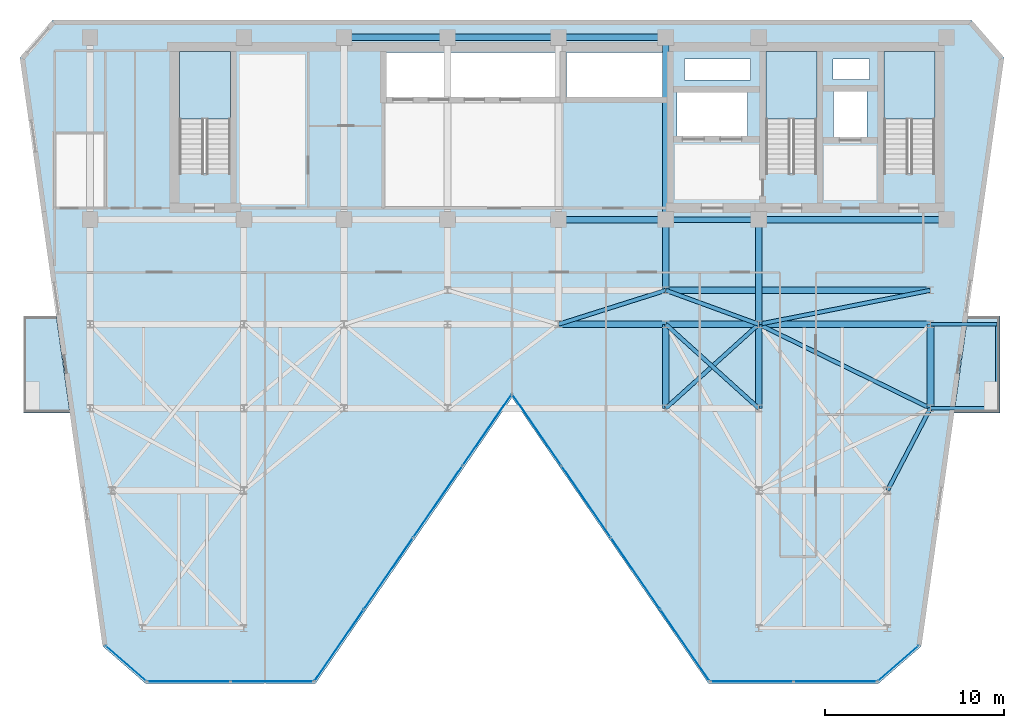
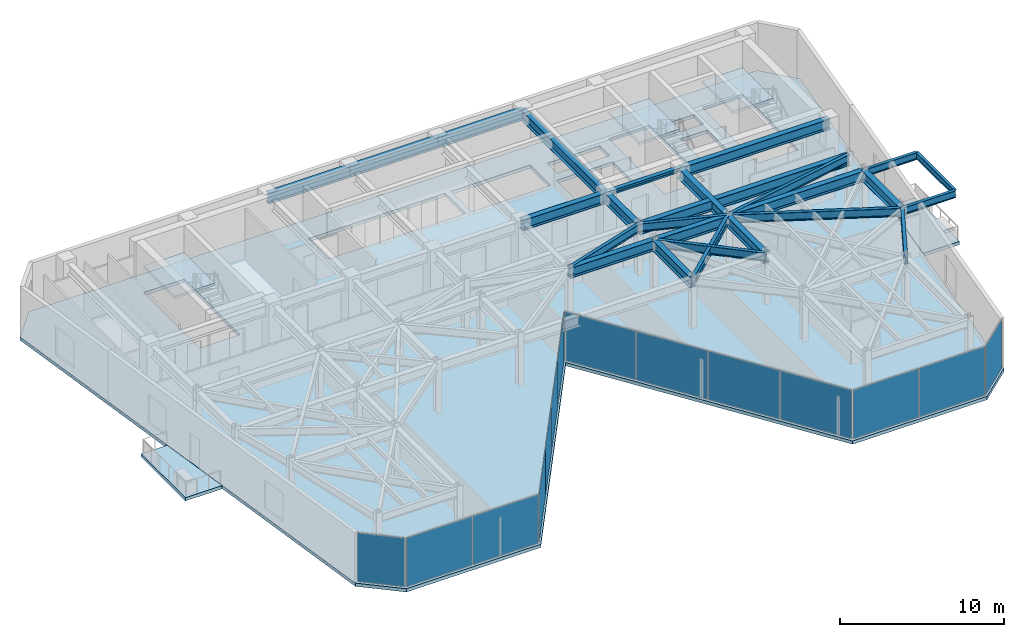
# One storey, part 15 of 21: 26 beams, 14 plates, 6 slabs, 9 elements without a shape of their own.
"""IFC4 building model written with IfcOpenShell, lengths in metres."""

from ifc_helpers import new_model, si_unit, direction, frame, origin, origin_2d, place, context, subcontext, project, spatial, polyline, rectangle, i_section, outline, extrude, material, layer, layer_set, material_profile, profile_set, type_object, element, aggregate, save


model = new_model("IFC4")

# Units and contexts
model_context = context("Model", 3, precision=1e-05, world=origin(), true_north=direction((0.0, 1.0)))
body_context = subcontext(model_context, "Body", "Model", "MODEL_VIEW")
ifc_project = project(units=[si_unit("LENGTHUNIT", "METRE"), si_unit("AREAUNIT", "SQUARE_METRE"), si_unit("VOLUMEUNIT", "CUBIC_METRE"), si_unit("PLANEANGLEUNIT", "RADIAN"), si_unit("MASSUNIT", "GRAM", prefix="KILO")], contexts=[model_context])

# Site, building, storey
site_placement = place(None, origin())
site = spatial("IfcSite", under=ifc_project, at=site_placement, CompositionType="ELEMENT")
building_placement = place(site_placement, origin())
building = spatial("IfcBuilding", under=site, at=building_placement, Name="Kravanh Interchange Tower", CompositionType="ELEMENT")
storey_placement = place(building_placement, frame((0.0, 0.0, 200.5)))
storey = spatial("IfcBuildingStorey", under=building, at=storey_placement, Name="L48", CompositionType="ELEMENT", Elevation=200.5)

# Beams
ifc_material_1 = material(Name="Structural Steel S355", Category="steel")
ifc_material_profile_1 = material_profile(ifc_material_1, i_section(OverallWidth=0.381103515625, OverallDepth=0.77294921875, WebThickness=0.0166015625, FlangeThickness=0.027099609375, FilletRadius=0.02490234375, at=origin_2d()), Name="W30X173")
ifc_profile_set_1 = profile_set([ifc_material_profile_1], Name="Structural Steel S355")
beam_type_1 = type_object("IfcBeamType", Name="Floor Beam W30X173 Structural Steel S355", PredefinedType="BEAM", material=ifc_profile_set_1)
beam_1_placement = place(storey_placement, frame((66.5, 37.35009765625, 3.368408203125), z_axis=(-1.0, 0.0, 0.0), x_axis=(0.0, -1.0, 0.0)))
element("IfcBeam", 1, at=beam_1_placement, inside=storey, type_object=beam_type_1, Name="L48 Primary Floor Girder 5", PredefinedType="BEAM", context=body_context, shape_type="SweptSolid", body=[
    extrude(i_section(OverallWidth=0.381103515625, OverallDepth=0.77294921875, WebThickness=0.0166015625, FlangeThickness=0.027099609375, FilletRadius=0.02490234375, at=origin_2d()), origin(), (0.0, 0.0, 1.0), 10.5),
])
beam_2_placement = place(storey_placement, frame((56.0, 37.35009765625, 3.368408203125), z_axis=(0.0, -1.0, 0.0), x_axis=(1.0, 0.0, 0.0)))
element("IfcBeam", 2, at=beam_2_placement, inside=storey, type_object=beam_type_1, Name="L48 Primary Floor Girder 7", PredefinedType="BEAM", context=body_context, shape_type="SweptSolid", body=[
    extrude(i_section(OverallWidth=0.381103515625, OverallDepth=0.77294921875, WebThickness=0.0166015625, FlangeThickness=0.027099609375, FilletRadius=0.02490234375, at=origin_2d()), origin(), (0.0, 0.0, 1.0), 5.85009765625),
])
beam_3_placement = place(storey_placement, frame((50.800048828125, 47.550048828125, 3.368408203125), z_axis=(-1.0, 0.0, 0.0), x_axis=(0.0, -1.0, 0.0)))
element("IfcBeam", 3, at=beam_3_placement, inside=storey, type_object=beam_type_1, Name="L48 Primary Floor Girder 8", PredefinedType="BEAM", context=body_context, shape_type="SweptSolid", body=[
    extrude(i_section(OverallWidth=0.381103515625, OverallDepth=0.77294921875, WebThickness=0.0166015625, FlangeThickness=0.027099609375, FilletRadius=0.02490234375, at=origin_2d()), origin(), (0.0, 0.0, 1.0), 6.0),
])
beam_4_placement = place(storey_placement, frame((50.800048828125, 47.550048828125, 3.368408203125), z_axis=(0.0, -1.0, 0.0), x_axis=(1.0, 0.0, 0.0)))
element("IfcBeam", 4, at=beam_4_placement, inside=storey, type_object=beam_type_1, Name="L48 Primary Floor Girder 9", PredefinedType="BEAM", context=body_context, shape_type="SweptSolid", body=[
    extrude(i_section(OverallWidth=0.381103515625, OverallDepth=0.77294921875, WebThickness=0.0166015625, FlangeThickness=0.027099609375, FilletRadius=0.02490234375, at=origin_2d()), origin(), (0.0, 0.0, 1.0), 10.199951171875),
])
beam_5_placement = place(storey_placement, frame((50.800048828125, 37.35009765625, 3.368408203125), z_axis=(0.0, -1.0, 0.0), x_axis=(1.0, 0.0, 0.0)))
element("IfcBeam", 5, at=beam_5_placement, inside=storey, type_object=beam_type_1, Name="L48 Primary Floor Girder 10", PredefinedType="BEAM", context=body_context, shape_type="SweptSolid", body=[
    extrude(i_section(OverallWidth=0.381103515625, OverallDepth=0.77294921875, WebThickness=0.0166015625, FlangeThickness=0.027099609375, FilletRadius=0.02490234375, at=origin_2d()), origin(), (0.0, 0.0, 1.0), 3.9501953125),
])
beam_6_placement = place(storey_placement, frame((50.800048828125, 37.35009765625, 3.368408203125), z_axis=(-1.0, 0.0, 0.0), x_axis=(0.0, -1.0, 0.0)))
element("IfcBeam", 6, at=beam_6_placement, inside=storey, type_object=beam_type_1, Name="L48 Primary Floor Girder 11", PredefinedType="BEAM", context=body_context, shape_type="SweptSolid", body=[
    extrude(i_section(OverallWidth=0.381103515625, OverallDepth=0.77294921875, WebThickness=0.0166015625, FlangeThickness=0.027099609375, FilletRadius=0.02490234375, at=origin_2d()), origin(), (0.0, 0.0, 1.0), 6.0),
])
beam_7_placement = place(storey_placement, frame((44.800048828125, 47.550048828125, 3.368408203125), z_axis=(-1.0, 0.0, 0.0), x_axis=(0.0, -1.0, 0.0)))
element("IfcBeam", 7, at=beam_7_placement, inside=storey, type_object=beam_type_1, Name="L48 Primary Floor Girder 15", PredefinedType="BEAM", context=body_context, shape_type="SweptSolid", body=[
    extrude(i_section(OverallWidth=0.381103515625, OverallDepth=0.77294921875, WebThickness=0.0166015625, FlangeThickness=0.027099609375, FilletRadius=0.02490234375, at=origin_2d()), origin(), (0.0, 0.0, 1.0), 6.199951171875),
])
beam_8_placement = place(storey_placement, frame((38.60009765625, 47.550048828125, 3.368408203125), z_axis=(-1.0, 0.0, 0.0), x_axis=(0.0, -1.0, 0.0)))
element("IfcBeam", 8, at=beam_8_placement, inside=storey, type_object=beam_type_1, Name="L48 Primary Floor Girder 19", PredefinedType="BEAM", context=body_context, shape_type="SweptSolid", body=[
    extrude(i_section(OverallWidth=0.381103515625, OverallDepth=0.77294921875, WebThickness=0.0166015625, FlangeThickness=0.027099609375, FilletRadius=0.02490234375, at=origin_2d()), origin(), (0.0, 0.0, 1.0), 5.800048828125),
])
for number, where, z_axis, x_axis, name in (
    (9, (50.800048828125, 26.800048828125, 3.368408203125), (0.0, 1.0, 0.0), (-1.0, 0.0, 0.0), "L48 Primary Floor Girder 49"),
    (10, (56.0, 26.800048828125, 3.368408203125), (0.0, 1.0, 0.0), (-1.0, 0.0, 0.0), "L48 Primary Floor Girder 54"),
    (11, (65.60009765625, 26.800048828125, 3.368408203125), (0.0, 1.0, 0.0), (-1.0, 0.0, 0.0), "L48 Primary Floor Girder 57"),
):
    element("IfcBeam", number, at=place(storey_placement, frame(where, z_axis=z_axis, x_axis=x_axis)), inside=storey, type_object=beam_type_1, Name=name, PredefinedType="BEAM", context=body_context, shape_type="SweptSolid", body=[
        extrude(i_section(OverallWidth=0.381103515625, OverallDepth=0.77294921875, WebThickness=0.0166015625, FlangeThickness=0.027099609375, FilletRadius=0.02490234375, at=origin_2d()), origin(), (0.0, 0.0, 1.0), 4.699951171875),
    ])
beam_9_placement = place(storey_placement, frame((44.800048828125, 31.5, 3.368408203125), z_axis=(1.0, 0.0, 0.0), x_axis=(0.0, 1.0, 0.0)))
element("IfcBeam", 12, at=beam_9_placement, inside=storey, type_object=beam_type_1, Name="L48 Primary Floor Girder 74", PredefinedType="BEAM", context=body_context, shape_type="SweptSolid", body=[
    extrude(i_section(OverallWidth=0.381103515625, OverallDepth=0.77294921875, WebThickness=0.0166015625, FlangeThickness=0.027099609375, FilletRadius=0.02490234375, at=origin_2d()), origin(), (0.0, 0.0, 1.0), 6.0),
])
beam_10_placement = place(storey_placement, frame((50.800048828125, 31.5, 3.368408203125), z_axis=(1.0, 0.0, 0.0), x_axis=(0.0, 1.0, 0.0)))
element("IfcBeam", 13, at=beam_10_placement, inside=storey, type_object=beam_type_1, Name="L48 Primary Floor Girder 77", PredefinedType="BEAM", context=body_context, shape_type="SweptSolid", body=[
    extrude(i_section(OverallWidth=0.381103515625, OverallDepth=0.77294921875, WebThickness=0.0166015625, FlangeThickness=0.027099609375, FilletRadius=0.02490234375, at=origin_2d()), origin(), (0.0, 0.0, 1.0), 5.199951171875),
])
beam_11_placement = place(storey_placement, frame((56.0, 31.5, 3.368408203125), z_axis=(1.0, 0.0, 0.0), x_axis=(0.0, 1.0, 0.0)))
element("IfcBeam", 14, at=beam_11_placement, inside=storey, type_object=beam_type_1, Name="L48 Primary Floor Girder 81", PredefinedType="BEAM", context=body_context, shape_type="SweptSolid", body=[
    extrude(i_section(OverallWidth=0.381103515625, OverallDepth=0.77294921875, WebThickness=0.0166015625, FlangeThickness=0.027099609375, FilletRadius=0.02490234375, at=origin_2d()), origin(), (0.0, 0.0, 1.0), 9.60009765625),
])
beam_12_placement = place(storey_placement, frame((50.800048828125, 33.39990234375, 3.368408203125), z_axis=(1.0, 0.0, 0.0), x_axis=(0.0, 1.0, 0.0)))
element("IfcBeam", 15, at=beam_12_placement, inside=storey, type_object=beam_type_1, Name="L48 Primary Floor Girder 95", PredefinedType="BEAM", context=body_context, shape_type="SweptSolid", body=[
    extrude(i_section(OverallWidth=0.381103515625, OverallDepth=0.77294921875, WebThickness=0.0166015625, FlangeThickness=0.027099609375, FilletRadius=0.02490234375, at=origin_2d()), origin(), (0.0, 0.0, 1.0), 14.800048828125),
])
ifc_material_2 = material(Name="Structural Steel S355", Category="steel")
ifc_material_profile_2 = material_profile(ifc_material_2, i_section(OverallWidth=0.18994140625, OverallDepth=0.45703125, WebThickness=0.009033203125, FlangeThickness=0.014404296875, FilletRadius=0.01806640625, at=origin_2d()), Name="W18X50")
ifc_profile_set_2 = profile_set([ifc_material_profile_2], Name="Structural Steel S355")
beam_type_2 = type_object("IfcBeamType", Name="Floor Joist W18X50 Structural Steel S355", PredefinedType="JOIST", material=ifc_profile_set_2)
beam_13_placement = place(storey_placement, frame((69.330078125, 26.800048828125, 3.526611328125), z_axis=(0.0, 1.0, 0.0), x_axis=(-1.0, 0.0, 0.0)))
element("IfcBeam", 16, at=beam_13_placement, inside=storey, type_object=beam_type_2, Name="L48 Balcony Edge Tie Beam E", PredefinedType="JOIST", context=body_context, shape_type="SweptSolid", body=[
    extrude(i_section(OverallWidth=0.18994140625, OverallDepth=0.45703125, WebThickness=0.009033203125, FlangeThickness=0.014404296875, FilletRadius=0.01806640625, at=origin_2d()), origin(), (0.0, 0.0, 1.0), 4.699951171875),
])
ifc_material_3 = material(Name="Structural Steel S355", Category="steel")
ifc_material_profile_3 = material_profile(ifc_material_3, i_section(OverallWidth=0.304931640625, OverallDepth=0.306884765625, WebThickness=0.010009765625, FlangeThickness=0.015380859375, FilletRadius=0.014892578125, at=origin_2d()), Name="W12X65")
ifc_profile_set_3 = profile_set([ifc_material_profile_3], Name="Structural Steel S355")
beam_type_3 = type_object("IfcBeamType", Name="Floor Lintel W12X65 Structural Steel S355", PredefinedType="LINTEL", material=ifc_profile_set_3)
beam_14_placement = place(storey_placement, frame((50.800048828125, 37.35009765625, 3.6015625), z_axis=(1.0, 0.0, 0.0), x_axis=(0.0, 1.0, 0.0)))
element("IfcBeam", 17, at=beam_14_placement, inside=storey, type_object=beam_type_3, Name="L48 Core Coupling Lintel 1", PredefinedType="LINTEL", context=body_context, shape_type="SweptSolid", body=[
    extrude(i_section(OverallWidth=0.304931640625, OverallDepth=0.306884765625, WebThickness=0.010009765625, FlangeThickness=0.015380859375, FilletRadius=0.014892578125, at=origin_2d()), origin(), (0.0, 0.0, 1.0), 5.199951171875),
])
ifc_material_4 = material(Name="Structural Steel S355", Category="steel")
ifc_material_profile_4 = material_profile(ifc_material_4, i_section(OverallWidth=0.2099609375, OverallDepth=0.537109375, WebThickness=0.010986328125, FlangeThickness=0.017333984375, FilletRadius=0.02001953125, at=origin_2d()), Name="W21X68")
ifc_profile_set_4 = profile_set([ifc_material_profile_4], Name="Structural Steel S355")
beam_type_4 = type_object("IfcBeamType", Name="Floor Spandrel W21X68 Structural Steel S355", PredefinedType="SPANDREL", material=ifc_profile_set_4)
for number, where, z_axis, x_axis, name in (
    (18, (65.60009765625, 26.800048828125, 3.486572265625), (1.0, 0.0, 0.0), (0.0, 1.0, 0.0), "L48 Balcony Cantilever Outrigger E1"),
    (19, (65.60009765625, 31.5, 3.486572265625), (1.0, 0.0, 0.0), (0.0, 1.0, 0.0), "L48 Balcony Cantilever Outrigger E2"),
):
    element("IfcBeam", number, at=place(storey_placement, frame(where, z_axis=z_axis, x_axis=x_axis)), inside=storey, type_object=beam_type_4, Name=name, PredefinedType="SPANDREL", context=body_context, shape_type="SweptSolid", body=[
        extrude(i_section(OverallWidth=0.2099609375, OverallDepth=0.537109375, WebThickness=0.010986328125, FlangeThickness=0.017333984375, FilletRadius=0.02001953125, at=origin_2d()), origin(), (0.0, 0.0, 1.0), 3.72998046875),
    ])
ifc_material_5 = material(Name="Structural Steel S355", Category="steel")
ifc_material_profile_5 = material_profile(ifc_material_5, i_section(OverallWidth=0.22802734375, OverallDepth=0.60791015625, WebThickness=0.01123046875, FlangeThickness=0.017333984375, FilletRadius=0.02197265625, at=origin_2d()), Name="W24X76")
ifc_profile_set_5 = profile_set([ifc_material_profile_5], Name="Structural Steel S355")
beam_type_5 = type_object("IfcBeamType", Name="Floor Spandrel W24X76 Structural Steel S355", PredefinedType="SPANDREL", material=ifc_profile_set_5)
for number, where, z_axis, x_axis, name in (
    (20, (50.800048828125, 26.800048828125, 3.450927734375), (0.741874009795, 0.670539300557, 0.0), (-0.670539300557, 0.741874009795, 0.0), "L48 Perimeter Spandrel 52"),
    (21, (56.0, 26.800048828125, 3.450927734375), (-0.741874009795, 0.670539300557, 0.0), (-0.670539300557, -0.741874009795, 0.0), "L48 Perimeter Spandrel 55"),
):
    element("IfcBeam", number, at=place(storey_placement, frame(where, z_axis=z_axis, x_axis=x_axis)), inside=storey, type_object=beam_type_5, Name=name, PredefinedType="SPANDREL", context=body_context, shape_type="SweptSolid", body=[
        extrude(i_section(OverallWidth=0.22802734375, OverallDepth=0.60791015625, WebThickness=0.01123046875, FlangeThickness=0.017333984375, FilletRadius=0.02197265625, at=origin_2d()), origin(), (0.0, 0.0, 1.0), 7.00927734375),
    ])
beam_15_placement = place(storey_placement, frame((65.60009765625, 26.800048828125, 3.450927734375), z_axis=(-0.462580479178, -0.886577295155, 0.0), x_axis=(0.886577295155, -0.462580479178, 0.0)))
element("IfcBeam", 22, at=beam_15_placement, inside=storey, type_object=beam_type_5, Name="L48 Perimeter Spandrel 58", PredefinedType="SPANDREL", context=body_context, shape_type="SweptSolid", body=[
    extrude(i_section(OverallWidth=0.22802734375, OverallDepth=0.60791015625, WebThickness=0.01123046875, FlangeThickness=0.017333984375, FilletRadius=0.02197265625, at=origin_2d()), origin(), (0.0, 0.0, 1.0), 5.188720703125),
])
beam_16_placement = place(storey_placement, frame((65.60009765625, 26.800048828125, 3.450927734375), z_axis=(-0.898141688387, 0.439706160499, 0.0), x_axis=(-0.439706160499, -0.898141688387, 0.0)))
element("IfcBeam", 23, at=beam_16_placement, inside=storey, type_object=beam_type_5, Name="L48 Perimeter Spandrel 60", PredefinedType="SPANDREL", context=body_context, shape_type="SweptSolid", body=[
    extrude(i_section(OverallWidth=0.22802734375, OverallDepth=0.60791015625, WebThickness=0.01123046875, FlangeThickness=0.017333984375, FilletRadius=0.02197265625, at=origin_2d()), origin(), (0.0, 0.0, 1.0), 10.68896484375),
])
beam_17_placement = place(storey_placement, frame((44.800048828125, 31.5, 3.450927734375), z_axis=(0.953346691051, 0.301877602122, 0.0), x_axis=(-0.301877602122, 0.953346691051, 0.0)))
element("IfcBeam", 24, at=beam_17_placement, inside=storey, type_object=beam_type_5, Name="L48 Perimeter Spandrel 75", PredefinedType="SPANDREL", context=body_context, shape_type="SweptSolid", body=[
    extrude(i_section(OverallWidth=0.22802734375, OverallDepth=0.60791015625, WebThickness=0.01123046875, FlangeThickness=0.017333984375, FilletRadius=0.02197265625, at=origin_2d()), origin(), (0.0, 0.0, 1.0), 6.293701171875),
])
beam_18_placement = place(storey_placement, frame((56.0, 31.5, 3.450927734375), z_axis=(-0.93926957103, 0.343180233896, 0.0), x_axis=(-0.343180233896, -0.93926957103, 0.0)))
element("IfcBeam", 25, at=beam_18_placement, inside=storey, type_object=beam_type_5, Name="L48 Perimeter Spandrel 80", PredefinedType="SPANDREL", context=body_context, shape_type="SweptSolid", body=[
    extrude(i_section(OverallWidth=0.22802734375, OverallDepth=0.60791015625, WebThickness=0.01123046875, FlangeThickness=0.017333984375, FilletRadius=0.02197265625, at=origin_2d()), origin(), (0.0, 0.0, 1.0), 5.5361328125),
])
beam_19_placement = place(storey_placement, frame((56.0, 31.5, 3.450927734375), z_axis=(0.980974000807, 0.194139150457, 0.0), x_axis=(-0.194139150457, 0.980974000807, 0.0)))
element("IfcBeam", 26, at=beam_19_placement, inside=storey, type_object=beam_type_5, Name="L48 Perimeter Spandrel 82", PredefinedType="SPANDREL", context=body_context, shape_type="SweptSolid", body=[
    extrude(i_section(OverallWidth=0.22802734375, OverallDepth=0.60791015625, WebThickness=0.01123046875, FlangeThickness=0.017333984375, FilletRadius=0.02197265625, at=origin_2d()), origin(), (0.0, 0.0, 1.0), 9.786376953125),
])

# Slab
ifc_material_6 = material(Name="Concrete C50/60", Category="concrete")
ifc_layer_1 = layer(ifc_material_6, 0.2451171875)
ifc_layer_set_1 = layer_set([ifc_layer_1], Name="Composite Floor Slab Concrete C50/60 245mm")
slab_type_1 = type_object("IfcSlabType", Name="Composite Floor Slab Concrete C50/60 245mm", PredefinedType="FLOOR", material=ifc_layer_set_1)
slab_1_placement = place(storey_placement, frame((0.0, 0.0, -0.2451171875)))
element("IfcSlab", 27, at=slab_1_placement, inside=storey, type_object=slab_type_1, Name="L48 Structural Floor Slab", PredefinedType="FLOOR", context=body_context, shape_type="SweptSolid", body=[
    extrude(outline(polyline([(19.32177734375, 13.4794921875), (21.714111328125, 11.39990234375), (31.199951171875, 11.39990234375), (42.199951171875, 27.39990234375), (53.199951171875, 11.39990234375), (62.685791015625, 11.39990234375), (65.078125, 13.4794921875), (69.707763671875, 46.42041015625), (67.89990234375, 48.5), (16.5, 48.5), (14.6923828125, 46.42041015625), (19.32177734375, 13.4794921875)]), holes=[polyline([(65.85009765625, 39.925048828125), (65.85009765625, 46.75), (63.0, 46.75), (63.0, 39.925048828125), (65.85009765625, 39.925048828125)]), polyline([(59.25, 39.925048828125), (59.25, 46.75), (56.39990234375, 46.75), (56.39990234375, 39.925048828125), (59.25, 39.925048828125)]), polyline([(26.449951171875, 39.925048828125), (26.449951171875, 46.75), (23.60009765625, 46.75), (23.60009765625, 39.925048828125), (26.449951171875, 39.925048828125)]), polyline([(35.179931640625, 44.219970703125), (44.840087890625, 44.219970703125), (44.840087890625, 46.699951171875), (35.179931640625, 46.699951171875), (35.179931640625, 44.219970703125)]), polyline([(45.239990234375, 44.219970703125), (50.840087890625, 44.219970703125), (50.840087890625, 46.699951171875), (45.239990234375, 46.699951171875), (45.239990234375, 44.219970703125)]), polyline([(51.419921875, 42.02001953125), (55.3798828125, 42.02001953125), (55.3798828125, 44.47998046875), (51.419921875, 44.47998046875), (51.419921875, 42.02001953125)]), polyline([(60.179931640625, 41.97998046875), (62.06005859375, 41.97998046875), (62.06005859375, 44.52001953125), (60.179931640625, 44.52001953125), (60.179931640625, 41.97998046875)]), polyline([(60.14990234375, 45.199951171875), (62.199951171875, 45.199951171875), (62.199951171875, 46.35009765625), (60.14990234375, 46.35009765625), (60.14990234375, 45.199951171875)]), polyline([(51.85009765625, 45.14990234375), (55.550048828125, 45.14990234375), (55.550048828125, 46.35009765625), (51.85009765625, 46.35009765625), (51.85009765625, 45.14990234375)])]), origin(), (0.0, 0.0, 1.0), 0.2451171875),
])

# Stair, slab
ifc_material_7 = material(Name="Concrete C50/60", Category="concrete")
stair_type = type_object("IfcStairType", Name="Core Fire Exit Dogleg Stair Concrete C50/60", PredefinedType="HALF_TURN_STAIR", material=ifc_material_7)
stair_1_placement = place(storey_placement, origin())
stair_1 = element("IfcStair", 28, at=stair_1_placement, inside=storey, type_object=stair_type, Name="L48 Exit Stair ST1", PredefinedType="HALF_TURN_STAIR")
ifc_material_8 = material(Name="Concrete C50/60", Category="concrete")
ifc_layer_2 = layer(ifc_material_8, 0.199951171875)
ifc_layer_set_2 = layer_set([ifc_layer_2], Name="Concrete C50/60 Stair Half-Landing Slab 200mm")
slab_type_2 = type_object("IfcSlabType", Name="Concrete C50/60 Stair Half-Landing Slab 200mm", PredefinedType="LANDING", material=ifc_layer_set_2)
slab_2_placement = place(storey_placement, frame((0.0, 0.0, 1.800048828125)))
slab_2 = element("IfcSlab", 29, at=slab_2_placement, type_object=slab_type_2, Name="ST1 landing 1", PredefinedType="LANDING", context=body_context, shape_type="SweptSolid", body=[
    extrude(outline(polyline([(65.85009765625, 42.97998046875), (65.85009765625, 46.75), (63.0, 46.75), (63.0, 42.97998046875), (65.85009765625, 42.97998046875)])), origin(), (0.0, 0.0, 1.0), 0.199951171875),
])
aggregate(stair_1, [slab_2])

stair_2_placement = place(storey_placement, origin())
stair_2 = element("IfcStair", 30, at=stair_2_placement, inside=storey, type_object=stair_type, Name="L48 Exit Stair ST2", PredefinedType="HALF_TURN_STAIR")
slab_3_placement = place(storey_placement, frame((0.0, 0.0, 1.800048828125)))
slab_3 = element("IfcSlab", 31, at=slab_3_placement, type_object=slab_type_2, Name="ST2 landing 1", PredefinedType="LANDING", context=body_context, shape_type="SweptSolid", body=[
    extrude(outline(polyline([(59.25, 42.97998046875), (59.25, 46.75), (56.39990234375, 46.75), (56.39990234375, 42.97998046875), (59.25, 42.97998046875)])), origin(), (0.0, 0.0, 1.0), 0.199951171875),
])
aggregate(stair_2, [slab_3])

stair_3_placement = place(storey_placement, origin())
stair_3 = element("IfcStair", 32, at=stair_3_placement, inside=storey, type_object=stair_type, Name="L48 Exit Stair ST3", PredefinedType="HALF_TURN_STAIR")
slab_4_placement = place(storey_placement, frame((0.0, 0.0, 1.800048828125)))
slab_4 = element("IfcSlab", 33, at=slab_4_placement, type_object=slab_type_2, Name="ST3 landing 1", PredefinedType="LANDING", context=body_context, shape_type="SweptSolid", body=[
    extrude(outline(polyline([(26.449951171875, 42.97998046875), (26.449951171875, 46.75), (23.60009765625, 46.75), (23.60009765625, 42.97998046875), (26.449951171875, 42.97998046875)])), origin(), (0.0, 0.0, 1.0), 0.199951171875),
])
aggregate(stair_3, [slab_4])

# Curtain wall, plate
ifc_material_9 = material(Name="Anodised Bronze Aluminium", Category="aluminium")
ifc_layer_3 = layer(ifc_material_9, 0.179931640625)
ifc_layer_set_3 = layer_set([ifc_layer_3], Name="Unitised Curtain Wall System CW-Z3 Upper Office")
curtain_wall_type = type_object("IfcCurtainWallType", Name="Unitised Curtain Wall System CW-Z3 Upper Office", PredefinedType="NOTDEFINED", material=ifc_layer_set_3)
curtain_wall_1_placement = place(storey_placement, origin())
curtain_wall_1 = element("IfcCurtainWall", 34, at=curtain_wall_1_placement, inside=storey, type_object=curtain_wall_type, Name="L48 Unitised Curtain Wall CW-L48-01", PredefinedType="NOTDEFINED")
ifc_material_10 = material(Name="Low-E Laminated Architectural Glass", Category="glass")
ifc_layer_4 = layer(ifc_material_10, 0.02392578125)
ifc_layer_set_4 = layer_set([ifc_layer_4], Name="High-Selectivity Double Glazing 24mm")
plate_type = type_object("IfcPlateType", Name="High-Selectivity Double Glazing 24mm", PredefinedType="CURTAIN_PANEL", material=ifc_layer_set_4)
plate_1_placement = place(storey_placement, frame((63.80322265625, 12.5302734375, 0.06005859375), z_axis=(0.0, 0.0, 1.0), x_axis=(-0.754716645379, -0.65605090137, 0.0)))
plate_1 = element("IfcPlate", 35, at=plate_1_placement, type_object=plate_type, Name="CW-Z3 panel 1.1", PredefinedType="CURTAIN_PANEL", context=body_context, shape_type="SweptSolid", body=[
    extrude(rectangle(XDim=2.960205078125, YDim=0.02392578125, at=origin_2d()), origin(), (0.0, 0.0, 1.0), 3.635009765625),
])
aggregate(curtain_wall_1, [plate_1])

# Curtain wall, plates
curtain_wall_2_placement = place(storey_placement, origin())
curtain_wall_2 = element("IfcCurtainWall", 36, at=curtain_wall_2_placement, inside=storey, type_object=curtain_wall_type, Name="L48 Unitised Curtain Wall CW-L48-02", PredefinedType="NOTDEFINED")
plate_2_placement = place(storey_placement, frame((60.281494140625, 11.52001953125, 0.06005859375), z_axis=(0.0, 0.0, 1.0), x_axis=(-1.0, 0.0, 0.0)))
plate_2 = element("IfcPlate", 37, at=plate_2_placement, type_object=plate_type, Name="CW-Z3 panel 1.1", PredefinedType="CURTAIN_PANEL", context=body_context, shape_type="SweptSolid", body=[
    extrude(rectangle(XDim=4.598876953125, YDim=0.02392578125, at=origin_2d()), origin(), (0.0, 0.0, 1.0), 3.635009765625),
])
plate_3_placement = place(storey_placement, frame((55.62255859375, 11.52001953125, 0.06005859375), z_axis=(0.0, 0.0, 1.0), x_axis=(-1.0, 0.0, 0.0)))
plate_3 = element("IfcPlate", 38, at=plate_3_placement, type_object=plate_type, Name="CW-Z3 panel 2.1", PredefinedType="CURTAIN_PANEL", context=body_context, shape_type="SweptSolid", body=[
    extrude(rectangle(XDim=4.598876953125, YDim=0.02392578125, at=origin_2d()), origin(), (0.0, 0.0, 1.0), 3.635009765625),
])
aggregate(curtain_wall_2, [plate_2, plate_3])

curtain_wall_3_placement = place(storey_placement, origin())
curtain_wall_3 = element("IfcCurtainWall", 39, at=curtain_wall_3_placement, inside=storey, type_object=curtain_wall_type, Name="L48 Unitised Curtain Wall CW-L48-03", PredefinedType="NOTDEFINED")
plate_4_placement = place(storey_placement, frame((51.871826171875, 13.5439453125, 0.06005859375), z_axis=(0.0, 0.0, 1.0), x_axis=(-0.566528388217, 0.824042223035, 0.0)))
plate_4 = element("IfcPlate", 40, at=plate_4_placement, type_object=plate_type, Name="CW-Z3 panel 1.1", PredefinedType="CURTAIN_PANEL", context=body_context, shape_type="SweptSolid", body=[
    extrude(rectangle(XDim=4.7919921875, YDim=0.02392578125, at=origin_2d()), origin(), (0.0, 0.0, 1.0), 3.635009765625),
])
plate_5_placement = place(storey_placement, frame((49.114501953125, 17.554443359375, 0.06005859375), z_axis=(0.0, 0.0, 1.0), x_axis=(-0.566528388217, 0.824042223035, 0.0)))
plate_5 = element("IfcPlate", 41, at=plate_5_placement, type_object=plate_type, Name="CW-Z3 panel 2.1", PredefinedType="CURTAIN_PANEL", context=body_context, shape_type="SweptSolid", body=[
    extrude(rectangle(XDim=4.822021484375, YDim=0.02392578125, at=origin_2d()), origin(), (0.0, 0.0, 1.0), 3.635009765625),
])
plate_6_placement = place(storey_placement, frame((46.3486328125, 21.577392578125, 0.06005859375), z_axis=(0.0, 0.0, 1.0), x_axis=(-0.566528388217, 0.824042223035, 0.0)))
plate_6 = element("IfcPlate", 42, at=plate_6_placement, type_object=plate_type, Name="CW-Z3 panel 3.1", PredefinedType="CURTAIN_PANEL", context=body_context, shape_type="SweptSolid", body=[
    extrude(rectangle(XDim=4.822021484375, YDim=0.02392578125, at=origin_2d()), origin(), (0.0, 0.0, 1.0), 3.635009765625),
])
plate_7_placement = place(storey_placement, frame((43.59130859375, 25.587890625, 0.06005859375), z_axis=(0.0, 0.0, 1.0), x_axis=(-0.566528388217, 0.824042223035, 0.0)))
plate_7 = element("IfcPlate", 43, at=plate_7_placement, type_object=plate_type, Name="CW-Z3 panel 4.1", PredefinedType="CURTAIN_PANEL", context=body_context, shape_type="SweptSolid", body=[
    extrude(rectangle(XDim=4.7919921875, YDim=0.02392578125, at=origin_2d()), origin(), (0.0, 0.0, 1.0), 3.635009765625),
])
aggregate(curtain_wall_3, [plate_4, plate_5, plate_6, plate_7])

curtain_wall_4_placement = place(storey_placement, origin())
curtain_wall_4 = element("IfcCurtainWall", 44, at=curtain_wall_4_placement, inside=storey, type_object=curtain_wall_type, Name="L48 Unitised Curtain Wall CW-L48-04", PredefinedType="NOTDEFINED")
plate_8_placement = place(storey_placement, frame((40.80859375, 25.587890625, 0.06005859375), z_axis=(0.0, 0.0, 1.0), x_axis=(-0.566528388217, -0.824042223035, 0.0)))
plate_8 = element("IfcPlate", 45, at=plate_8_placement, type_object=plate_type, Name="CW-Z3 panel 1.1", PredefinedType="CURTAIN_PANEL", context=body_context, shape_type="SweptSolid", body=[
    extrude(rectangle(XDim=4.7919921875, YDim=0.02392578125, at=origin_2d()), origin(), (0.0, 0.0, 1.0), 3.635009765625),
])
plate_9_placement = place(storey_placement, frame((38.05126953125, 21.577392578125, 0.06005859375), z_axis=(0.0, 0.0, 1.0), x_axis=(-0.566528388217, -0.824042223035, 0.0)))
plate_9 = element("IfcPlate", 46, at=plate_9_placement, type_object=plate_type, Name="CW-Z3 panel 2.1", PredefinedType="CURTAIN_PANEL", context=body_context, shape_type="SweptSolid", body=[
    extrude(rectangle(XDim=4.822021484375, YDim=0.02392578125, at=origin_2d()), origin(), (0.0, 0.0, 1.0), 3.635009765625),
])
plate_10_placement = place(storey_placement, frame((35.28564453125, 17.554443359375, 0.06005859375), z_axis=(0.0, 0.0, 1.0), x_axis=(-0.566528388217, -0.824042223035, 0.0)))
plate_10 = element("IfcPlate", 47, at=plate_10_placement, type_object=plate_type, Name="CW-Z3 panel 3.1", PredefinedType="CURTAIN_PANEL", context=body_context, shape_type="SweptSolid", body=[
    extrude(rectangle(XDim=4.822021484375, YDim=0.02392578125, at=origin_2d()), origin(), (0.0, 0.0, 1.0), 3.635009765625),
])
plate_11_placement = place(storey_placement, frame((32.5283203125, 13.5439453125, 0.06005859375), z_axis=(0.0, 0.0, 1.0), x_axis=(-0.566528388217, -0.824042223035, 0.0)))
plate_11 = element("IfcPlate", 48, at=plate_11_placement, type_object=plate_type, Name="CW-Z3 panel 4.1", PredefinedType="CURTAIN_PANEL", context=body_context, shape_type="SweptSolid", body=[
    extrude(rectangle(XDim=4.7919921875, YDim=0.02392578125, at=origin_2d()), origin(), (0.0, 0.0, 1.0), 3.635009765625),
])
aggregate(curtain_wall_4, [plate_8, plate_9, plate_10, plate_11])

curtain_wall_5_placement = place(storey_placement, origin())
curtain_wall_5 = element("IfcCurtainWall", 49, at=curtain_wall_5_placement, inside=storey, type_object=curtain_wall_type, Name="L48 Unitised Curtain Wall CW-L48-05", PredefinedType="NOTDEFINED")
plate_12_placement = place(storey_placement, frame((28.77734375, 11.52001953125, 0.06005859375), z_axis=(0.0, 0.0, 1.0), x_axis=(-1.0, 0.0, 0.0)))
plate_12 = element("IfcPlate", 50, at=plate_12_placement, type_object=plate_type, Name="CW-Z3 panel 1.1", PredefinedType="CURTAIN_PANEL", context=body_context, shape_type="SweptSolid", body=[
    extrude(rectangle(XDim=4.598876953125, YDim=0.02392578125, at=origin_2d()), origin(), (0.0, 0.0, 1.0), 3.635009765625),
])
plate_13_placement = place(storey_placement, frame((24.118408203125, 11.52001953125, 0.06005859375), z_axis=(0.0, 0.0, 1.0), x_axis=(-1.0, 0.0, 0.0)))
plate_13 = element("IfcPlate", 51, at=plate_13_placement, type_object=plate_type, Name="CW-Z3 panel 2.1", PredefinedType="CURTAIN_PANEL", context=body_context, shape_type="SweptSolid", body=[
    extrude(rectangle(XDim=4.598876953125, YDim=0.02392578125, at=origin_2d()), origin(), (0.0, 0.0, 1.0), 3.635009765625),
])
aggregate(curtain_wall_5, [plate_12, plate_13])

# Curtain wall, plate
curtain_wall_6_placement = place(storey_placement, origin())
curtain_wall_6 = element("IfcCurtainWall", 52, at=curtain_wall_6_placement, inside=storey, type_object=curtain_wall_type, Name="L48 Unitised Curtain Wall CW-L48-06", PredefinedType="NOTDEFINED")
plate_14_placement = place(storey_placement, frame((20.5966796875, 12.5302734375, 0.06005859375), z_axis=(0.0, 0.0, 1.0), x_axis=(-0.754716645379, 0.65605090137, 0.0)))
plate_14 = element("IfcPlate", 53, at=plate_14_placement, type_object=plate_type, Name="CW-Z3 panel 1.1", PredefinedType="CURTAIN_PANEL", context=body_context, shape_type="SweptSolid", body=[
    extrude(rectangle(XDim=2.960205078125, YDim=0.02392578125, at=origin_2d()), origin(), (0.0, 0.0, 1.0), 3.635009765625),
])
aggregate(curtain_wall_6, [plate_14])

# Slabs
ifc_material_11 = material(Name="Concrete C50/60", Category="concrete")
ifc_layer_5 = layer(ifc_material_11, 0.199951171875)
ifc_layer_set_5 = layer_set([ifc_layer_5], Name="Planted Tree Balcony Slab Concrete C50/60 200mm")
slab_type_3 = type_object("IfcSlabType", Name="Planted Tree Balcony Slab Concrete C50/60 200mm", PredefinedType="USERDEFINED", material=ifc_layer_set_5)
slab_5_placement = place(storey_placement, frame((0.0, 0.0, -0.2451171875)))
element("IfcSlab", 54, at=slab_5_placement, inside=storey, type_object=slab_type_3, Name="L48 East Tree Planter Balcony Slab", ObjectType="BALCONY", PredefinedType="USERDEFINED", context=body_context, shape_type="SweptSolid", body=[
    extrude(outline(polyline([(69.489990234375, 31.949951171875), (69.489990234375, 26.550048828125), (66.930419921875, 26.550048828125), (67.689208984375, 31.949951171875), (69.489990234375, 31.949951171875)])), origin(), (0.0, 0.0, 1.0), 0.2451171875),
])
slab_6_placement = place(storey_placement, frame((0.0, 0.0, -0.2451171875)))
element("IfcSlab", 55, at=slab_6_placement, inside=storey, type_object=slab_type_3, Name="L48 West Tree Planter Balcony Slab", ObjectType="BALCONY", PredefinedType="USERDEFINED", context=body_context, shape_type="SweptSolid", body=[
    extrude(outline(polyline([(14.8759765625, 26.550048828125), (14.8759765625, 31.949951171875), (16.710693359375, 31.949951171875), (17.4697265625, 26.550048828125), (14.8759765625, 26.550048828125)])), origin(), (0.0, 0.0, 1.0), 0.2451171875),
])

save(model, "model.ifc")
